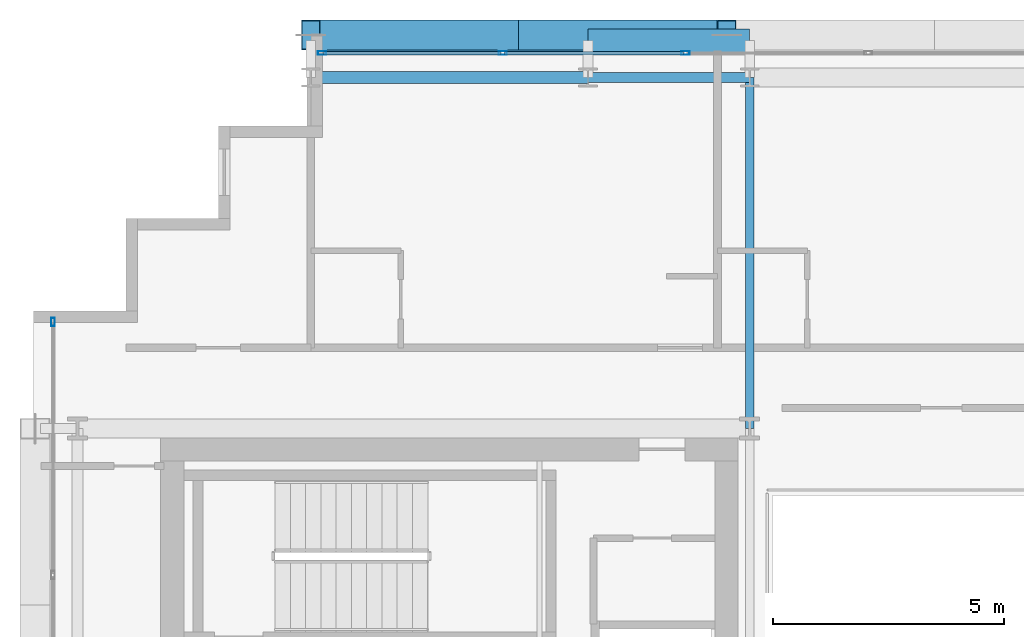
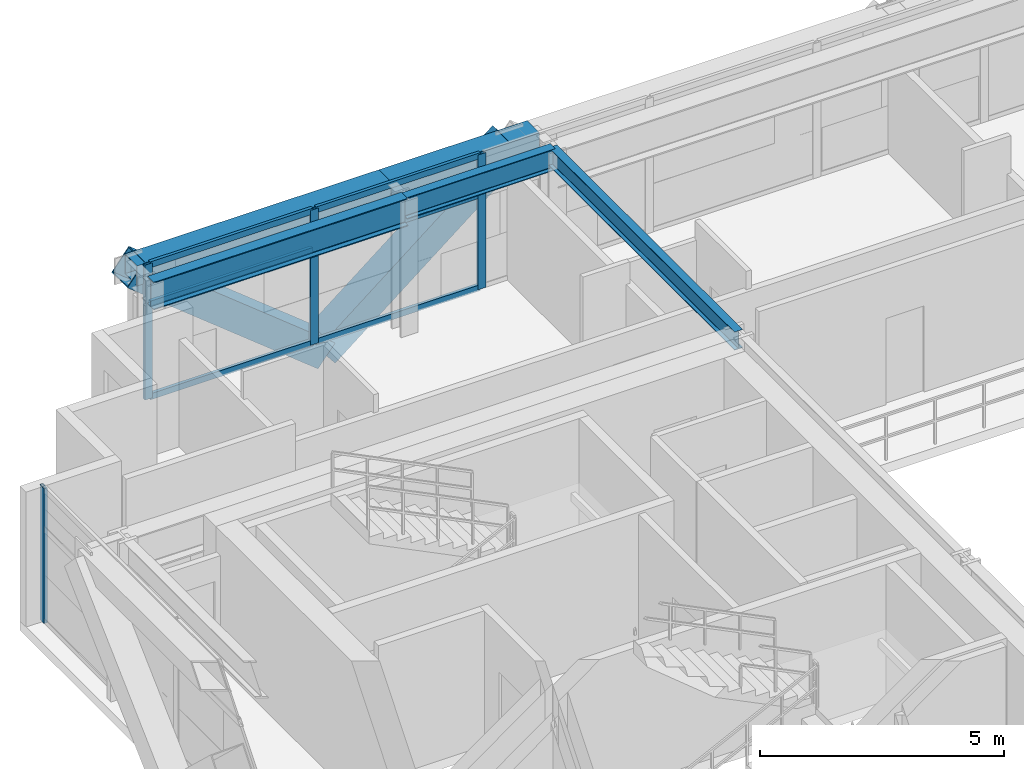
# One storey, part 16 of 32: 12 members, 5 beams, 2 elements without a shape of their own.
"""IFC4 building model written with IfcOpenShell, lengths in metres."""

from ifc_helpers import new_model, si_unit, direction, frame, origin, origin_2d, place, context, subcontext, project, spatial, hollow_rectangle, i_section, extrude, source, transform, mapped, material, layer, layer_set, material_profile, profile_set, type_object, element, aggregate, save


model = new_model("IFC4")

# Units and contexts
model_context = context("Model", 3, precision=1e-05, world=origin(), true_north=direction((0.0, 1.0)))
body_context = subcontext(model_context, "Body", "Model", "MODEL_VIEW")
ifc_project = project(units=[si_unit("LENGTHUNIT", "METRE"), si_unit("AREAUNIT", "SQUARE_METRE"), si_unit("VOLUMEUNIT", "CUBIC_METRE"), si_unit("PLANEANGLEUNIT", "RADIAN"), si_unit("MASSUNIT", "GRAM", prefix="KILO")], contexts=[model_context])

# Site, building, storey
site_placement = place(None, origin())
site = spatial("IfcSite", under=ifc_project, at=site_placement, CompositionType="ELEMENT")
building_placement = place(site_placement, origin())
building = spatial("IfcBuilding", under=site, at=building_placement, Name="Ocotamira Hotel", CompositionType="ELEMENT")
storey_placement = place(building_placement, frame((0.0, 0.0, 177.60009765625)))
storey = spatial("IfcBuildingStorey", under=building, at=storey_placement, Name="L44", CompositionType="ELEMENT", Elevation=177.60009765625)

# Beams
ifc_material_1 = material(Name="Steel ASTM A992 Grade 50", Category="steel")
ifc_material_profile_1 = material_profile(ifc_material_1, i_section(OverallWidth=0.256103515625, OverallDepth=0.693115234375, WebThickness=0.014404296875, FlangeThickness=0.023681640625, FilletRadius=0.01611328125, at=origin_2d()), Name="W27X114")
ifc_profile_set_1 = profile_set([ifc_material_profile_1], Name="Steel ASTM A992 Grade 50")
beam_type_1 = type_object("IfcBeamType", Name="BM-PRIM-W27X114", PredefinedType="BEAM", material=ifc_profile_set_1)
shared_shape_1 = source(origin(), body_context, "Body", "SweptSolid", [
    extrude(i_section(OverallWidth=0.256103515625, OverallDepth=0.693115234375, WebThickness=0.014404296875, FlangeThickness=0.023681640625, FilletRadius=0.01611328125, at=origin_2d()), origin(), (0.0, 0.0, 1.0), 6.0),
])
beam_1_placement = place(storey_placement, frame((14.0, 45.050048828125, 3.0234375), z_axis=(1.0, 0.0, 0.0), x_axis=(0.0, 1.0, 0.0)))
element("IfcBeam", 1, at=beam_1_placement, inside=storey, type_object=beam_type_1, Name="L44 Girder Y45.05 X14-20", PredefinedType="BEAM", context=body_context, shape_type="MappedRepresentation", body=[
    mapped(shared_shape_1, transform((0.0, 0.0, 0.0), scale=1.0)),
])
ifc_material_profile_2 = material_profile(ifc_material_1, i_section(OverallWidth=0.2099609375, OverallDepth=0.537109375, WebThickness=0.010986328125, FlangeThickness=0.017333984375, FilletRadius=0.012939453125, at=origin_2d()), Name="W21X68")
ifc_profile_set_2 = profile_set([ifc_material_profile_2], Name="Steel ASTM A992 Grade 50")
beam_type_2 = type_object("IfcBeamType", Name="BM-SEC-W21X68", PredefinedType="JOIST", material=ifc_profile_set_2)
shared_shape_2 = source(origin(), body_context, "Body", "SweptSolid", [
    extrude(i_section(OverallWidth=0.2099609375, OverallDepth=0.537109375, WebThickness=0.010986328125, FlangeThickness=0.017333984375, FilletRadius=0.012939453125, at=origin_2d()), origin(), (0.0, 0.0, 1.0), 3.5),
])
beam_2_placement = place(storey_placement, frame((20.0, 45.050048828125, 3.101318359375), z_axis=(1.0, 0.0, 0.0), x_axis=(0.0, 1.0, 0.0)))
element("IfcBeam", 2, at=beam_2_placement, inside=storey, type_object=beam_type_2, Name="L44 Girder Y45.05 X20-23.5", PredefinedType="JOIST", context=body_context, shape_type="MappedRepresentation", body=[
    mapped(shared_shape_2, transform((0.0, 0.0, 0.0), scale=1.0)),
])
ifc_material_2 = material(Name="Steel ASTM A500 Grade C", Category="steel")
ifc_material_profile_3 = material_profile(ifc_material_2, hollow_rectangle(XDim=0.5, YDim=0.5, WallThickness=0.02001953125, at=origin_2d()), Name="HSS500X500X20")
ifc_profile_set_3 = profile_set([ifc_material_profile_3], Name="Steel ASTM A500 Grade C")
beam_type_3 = type_object("IfcBeamType", Name="BM-SPAN-HSS500", PredefinedType="USERDEFINED", material=ifc_profile_set_3)
shared_shape_3 = source(origin(), body_context, "Body", "SweptSolid", [
    extrude(hollow_rectangle(XDim=0.5, YDim=0.5, WallThickness=0.02001953125, at=origin_2d()), origin(), (0.0, 0.0, 1.0), 6.0),
])
beam_3_placement = place(storey_placement, frame((14.0, 45.85009765625, 3.119873046875), z_axis=(1.0, 0.0, 0.0), x_axis=(0.0, 1.0, 0.0)))
element("IfcBeam", 3, at=beam_3_placement, inside=storey, type_object=beam_type_3, Name="L44 Edge Spandrel N X14-20", ObjectType="SPANDREL", PredefinedType="USERDEFINED", context=body_context, shape_type="MappedRepresentation", body=[
    mapped(shared_shape_3, transform((0.0, 0.0, 0.0), scale=1.0)),
])
shared_shape_4 = source(origin(), body_context, "Body", "SweptSolid", [
    extrude(hollow_rectangle(XDim=0.5, YDim=0.5, WallThickness=0.02001953125, at=origin_2d()), origin(), (0.0, 0.0, 1.0), 3.5),
])
beam_4_placement = place(storey_placement, frame((20.0, 45.85009765625, 3.119873046875), z_axis=(1.0, 0.0, 0.0), x_axis=(0.0, 1.0, 0.0)))
element("IfcBeam", 4, at=beam_4_placement, inside=storey, type_object=beam_type_3, Name="L44 Edge Spandrel N X20-23.5", ObjectType="SPANDREL", PredefinedType="USERDEFINED", context=body_context, shape_type="MappedRepresentation", body=[
    mapped(shared_shape_4, transform((0.0, 0.0, 0.0), scale=1.0)),
])
ifc_material_profile_4 = material_profile(ifc_material_1, i_section(OverallWidth=0.18994140625, OverallDepth=0.45703125, WebThickness=0.009033203125, FlangeThickness=0.014404296875, FilletRadius=0.010009765625, at=origin_2d()), Name="W18X50")
ifc_profile_set_4 = profile_set([ifc_material_profile_4], Name="Steel ASTM A992 Grade 50")
beam_type_4 = type_object("IfcBeamType", Name="BM-SEC-W18X50", PredefinedType="JOIST", material=ifc_profile_set_4)
shared_shape_5 = source(origin(), body_context, "Body", "SweptSolid", [
    extrude(i_section(OverallWidth=0.18994140625, OverallDepth=0.45703125, WebThickness=0.009033203125, FlangeThickness=0.014404296875, FilletRadius=0.010009765625, at=origin_2d()), origin(), (0.0, 0.0, 1.0), 7.60009765625),
])
beam_5_placement = place(storey_placement, frame((23.5, 37.449951171875, 3.141357421875), z_axis=(0.0, 1.0, 0.0), x_axis=(-1.0, 0.0, 0.0)))
element("IfcBeam", 5, at=beam_5_placement, inside=storey, type_object=beam_type_4, Name="L44 Beam X23.5 Y37.45-45.05", PredefinedType="JOIST", context=body_context, shape_type="MappedRepresentation", body=[
    mapped(shared_shape_5, transform((0.0, 0.0, 0.0), scale=1.0)),
])

# Members
ifc_material_3 = material(Name="Pale-metal coated steel ASTM A913 Grade 65", Category="steel")
ifc_material_profile_5 = material_profile(ifc_material_3, hollow_rectangle(XDim=0.64990234375, YDim=0.64990234375, WallThickness=0.02197265625, at=origin_2d()), Name="BOX650X650X22")
ifc_profile_set_5 = profile_set([ifc_material_profile_5], Name="Pale-metal coated steel ASTM A913 Grade 65")
member_type_1 = type_object("IfcMemberType", Name="MEM-EXO-BOX650", PredefinedType="BRACE", material=ifc_profile_set_5)
shared_shape_6 = source(origin(), body_context, "Body", "SweptSolid", [
    extrude(hollow_rectangle(XDim=0.64990234375, YDim=0.64990234375, WallThickness=0.02197265625, at=origin_2d()), origin(), (0.0, 0.0, 1.0), 5.7626953125),
])
for number, where, z_axis, x_axis, name in (
    (6, (18.5, 45.969970703125, -0.47998046875), (-0.780881208953, 0.0, 0.624679547852), (0.0, -1.0, 0.0), "L44 Exoskeleton Diagrid N0.1"),
    (7, (18.5, 45.969970703125, -0.47998046875), (0.780881208953, 0.0, 0.624679547852), (0.0, 1.0, 0.0), "L44 Exoskeleton Diagrid N0.2"),
):
    element("IfcMember", number, at=place(storey_placement, frame(where, z_axis=z_axis, x_axis=x_axis)), inside=storey, type_object=member_type_1, Name=name, PredefinedType="BRACE", context=body_context, shape_type="MappedRepresentation", body=[
        mapped(shared_shape_6, transform((0.0, 0.0, 0.0), scale=1.0)),
    ])

# Curtain wall, members
ifc_material_4 = material(Name="Anodised pale-metal aluminium and solar glass", Category="aluminium")
ifc_layer = layer(ifc_material_4, 0.199951171875)
ifc_layer_set = layer_set([ifc_layer], Name="Anodised pale-metal aluminium and solar glass")
curtain_wall_type = type_object("IfcCurtainWallType", Name="CW-SYS4-Z3", PredefinedType="NOTDEFINED", material=ifc_layer_set)
curtain_wall_1_placement = place(storey_placement, origin())
curtain_wall_1 = element("IfcCurtainWall", 8, at=curtain_wall_1_placement, inside=storey, type_object=curtain_wall_type, Name="L44 Curtain Wall CW-4 CW-L44-N", PredefinedType="NOTDEFINED")
ifc_material_5 = material(Name="Anodised pale-metal aluminium 6063-T6", Category="aluminium")
ifc_material_profile_6 = material_profile(ifc_material_5, hollow_rectangle(XDim=0.074951171875, YDim=0.14990234375, WallThickness=0.006103515625, at=origin_2d()), Name="HSS150X75X6")
ifc_profile_set_6 = profile_set([ifc_material_profile_6], Name="Anodised pale-metal aluminium 6063-T6")
member_type_2 = type_object("IfcMemberType", Name="CWT-150X75", PredefinedType="USERDEFINED", material=ifc_profile_set_6)
shared_shape_7 = source(origin(), body_context, "Body", "SweptSolid", [
    extrude(hollow_rectangle(XDim=0.074951171875, YDim=0.14990234375, WallThickness=0.006103515625, at=origin_2d()), origin(), (0.0, 0.0, 1.0), 3.83544921875),
])
member_1_placement = place(storey_placement, frame((14.280029296875, 45.580078125, 0.037353515625), z_axis=(1.0, 0.0, 0.0), x_axis=(0.0, 1.0, 0.0)))
member_1 = element("IfcMember", 9, at=member_1_placement, type_object=member_type_2, Name="CW-4 transom 1.1", ObjectType="TRANSOM", PredefinedType="USERDEFINED", context=body_context, shape_type="MappedRepresentation", body=[
    mapped(shared_shape_7, transform((0.0, 0.0, 0.0), scale=1.0)),
])
member_2_placement = place(storey_placement, frame((14.280029296875, 45.580078125, 2.349853515625), z_axis=(1.0, 0.0, 0.0), x_axis=(0.0, 1.0, 0.0)))
member_2 = element("IfcMember", 10, at=member_2_placement, type_object=member_type_2, Name="CW-4 transom 1.2", ObjectType="TRANSOM", PredefinedType="USERDEFINED", context=body_context, shape_type="MappedRepresentation", body=[
    mapped(shared_shape_7, transform((0.0, 0.0, 0.0), scale=1.0)),
])
member_3_placement = place(storey_placement, frame((14.280029296875, 45.580078125, 3.33251953125), z_axis=(1.0, 0.0, 0.0), x_axis=(0.0, 1.0, 0.0)))
member_3 = element("IfcMember", 11, at=member_3_placement, type_object=member_type_2, Name="CW-4 transom 1.3", ObjectType="TRANSOM", PredefinedType="USERDEFINED", context=body_context, shape_type="MappedRepresentation", body=[
    mapped(shared_shape_7, transform((0.0, 0.0, 0.0), scale=1.0)),
])
shared_shape_8 = source(origin(), body_context, "Body", "SweptSolid", [
    extrude(hollow_rectangle(XDim=0.074951171875, YDim=0.14990234375, WallThickness=0.006103515625, at=origin_2d()), origin(), (0.0, 0.0, 1.0), 3.87548828125),
])
member_4_placement = place(storey_placement, frame((18.195556640625, 45.580078125, 0.037353515625), z_axis=(1.0, 0.0, 0.0), x_axis=(0.0, 1.0, 0.0)))
member_4 = element("IfcMember", 12, at=member_4_placement, type_object=member_type_2, Name="CW-4 transom 2.1", ObjectType="TRANSOM", PredefinedType="USERDEFINED", context=body_context, shape_type="MappedRepresentation", body=[
    mapped(shared_shape_8, transform((0.0, 0.0, 0.0), scale=1.0)),
])
member_5_placement = place(storey_placement, frame((18.195556640625, 45.580078125, 2.349853515625), z_axis=(1.0, 0.0, 0.0), x_axis=(0.0, 1.0, 0.0)))
member_5 = element("IfcMember", 13, at=member_5_placement, type_object=member_type_2, Name="CW-4 transom 2.2", ObjectType="TRANSOM", PredefinedType="USERDEFINED", context=body_context, shape_type="MappedRepresentation", body=[
    mapped(shared_shape_8, transform((0.0, 0.0, 0.0), scale=1.0)),
])
member_6_placement = place(storey_placement, frame((18.195556640625, 45.580078125, 3.33251953125), z_axis=(1.0, 0.0, 0.0), x_axis=(0.0, 1.0, 0.0)))
member_6 = element("IfcMember", 14, at=member_6_placement, type_object=member_type_2, Name="CW-4 transom 2.3", ObjectType="TRANSOM", PredefinedType="USERDEFINED", context=body_context, shape_type="MappedRepresentation", body=[
    mapped(shared_shape_8, transform((0.0, 0.0, 0.0), scale=1.0)),
])
ifc_material_profile_7 = material_profile(ifc_material_5, hollow_rectangle(XDim=0.080078125, YDim=0.179931640625, WallThickness=0.006103515625, at=origin_2d()), Name="HSS180X80X6")
ifc_profile_set_7 = profile_set([ifc_material_profile_7], Name="Anodised pale-metal aluminium 6063-T6")
member_type_3 = type_object("IfcMemberType", Name="CWM-180X75", PredefinedType="MULLION", material=ifc_profile_set_7)
shared_shape_9 = source(origin(), body_context, "Body", "SweptSolid", [
    extrude(hollow_rectangle(XDim=0.080078125, YDim=0.179931640625, WallThickness=0.006103515625, at=origin_2d()), origin(), (0.0, 0.0, 1.0), 3.369873046875),
])
member_7_placement = place(storey_placement, frame((14.239990234375, 45.580078125, 0.0), z_axis=(0.0, 0.0, 1.0), x_axis=(0.0, 1.0, 0.0)))
member_7 = element("IfcMember", 15, at=member_7_placement, type_object=member_type_3, Name="CW-4 mullion 1", PredefinedType="MULLION", context=body_context, shape_type="MappedRepresentation", body=[
    mapped(shared_shape_9, transform((0.0, 0.0, 0.0), scale=1.0)),
])
member_8_placement = place(storey_placement, frame((18.155517578125, 45.580078125, 0.0), z_axis=(0.0, 0.0, 1.0), x_axis=(0.0, 1.0, 0.0)))
member_8 = element("IfcMember", 16, at=member_8_placement, type_object=member_type_3, Name="CW-4 mullion 2", PredefinedType="MULLION", context=body_context, shape_type="MappedRepresentation", body=[
    mapped(shared_shape_9, transform((0.0, 0.0, 0.0), scale=1.0)),
])
member_9_placement = place(storey_placement, frame((22.111083984375, 45.580078125, 0.0), z_axis=(0.0, 0.0, 1.0), x_axis=(0.0, 1.0, 0.0)))
member_9 = element("IfcMember", 17, at=member_9_placement, type_object=member_type_3, Name="CW-4 mullion 3", PredefinedType="MULLION", context=body_context, shape_type="MappedRepresentation", body=[
    mapped(shared_shape_9, transform((0.0, 0.0, 0.0), scale=1.0)),
])
aggregate(curtain_wall_1, [member_7, member_8, member_9, member_1, member_2, member_3, member_4, member_5, member_6])

# Curtain wall, member
curtain_wall_2_placement = place(storey_placement, origin())
curtain_wall_2 = element("IfcCurtainWall", 18, at=curtain_wall_2_placement, inside=storey, type_object=curtain_wall_type, Name="L44 Curtain Wall CW-4 CW-L44-W", PredefinedType="NOTDEFINED")
member_10_placement = place(storey_placement, frame((8.419921875, 39.760009765625, 0.0), z_axis=(0.0, 0.0, 1.0), x_axis=(-1.0, 0.0, 0.0)))
member_10 = element("IfcMember", 19, at=member_10_placement, type_object=member_type_3, Name="CW-4 mullion 6", PredefinedType="MULLION", context=body_context, shape_type="MappedRepresentation", body=[
    mapped(shared_shape_9, transform((0.0, 0.0, 0.0), scale=1.0)),
])
aggregate(curtain_wall_2, [member_10])

save(model, "model.ifc")
